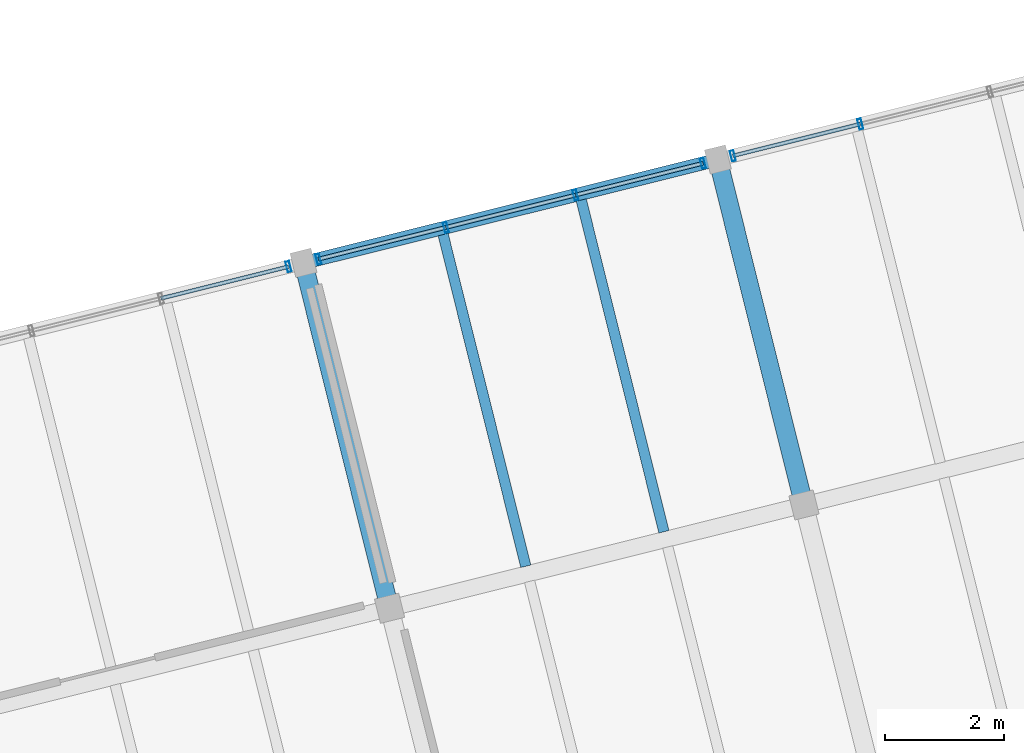
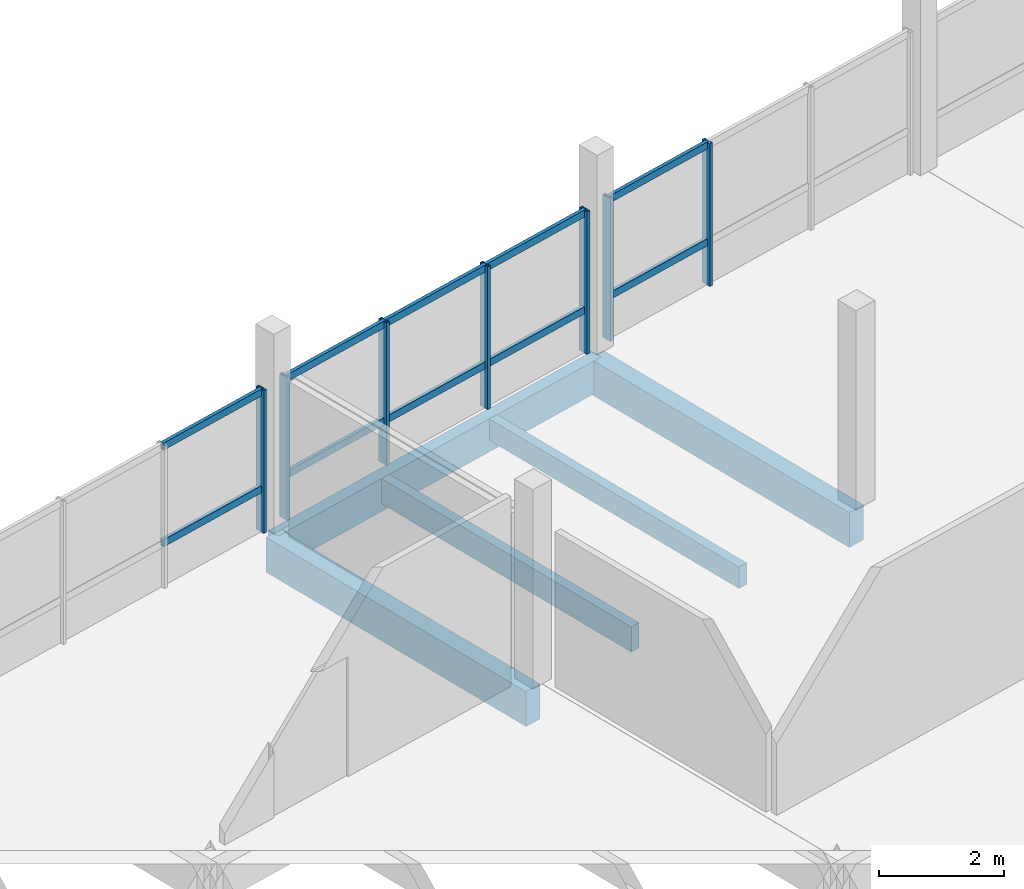
# One storey, part 17 of 27: 17 members, 5 beams, 3 elements without a shape of their own.
"""IFC4 building model written with IfcOpenShell, lengths in metres."""

from ifc_helpers import new_model, si_unit, direction, frame, origin, origin_2d, place, context, subcontext, project, spatial, rectangle, hollow_rectangle, extrude, material, layer, layer_set, material_profile, profile_set, type_object, element, aggregate, save


model = new_model("IFC4")

# Units and contexts
model_context = context("Model", 3, precision=1e-05, world=origin(), true_north=direction((0.0, 1.0)))
body_context = subcontext(model_context, "Body", "Model", "MODEL_VIEW")
ifc_project = project(units=[si_unit("LENGTHUNIT", "METRE"), si_unit("AREAUNIT", "SQUARE_METRE"), si_unit("VOLUMEUNIT", "CUBIC_METRE"), si_unit("PLANEANGLEUNIT", "RADIAN"), si_unit("MASSUNIT", "GRAM", prefix="KILO")], contexts=[model_context])

# Site, building, storey
site_placement = place(None, origin())
site = spatial("IfcSite", under=ifc_project, at=site_placement, CompositionType="ELEMENT")
building_placement = place(site_placement, origin())
building = spatial("IfcBuilding", under=site, at=building_placement, Name="Meriwether Solvik Hall", CompositionType="ELEMENT")
storey_placement = place(building_placement, frame((0.0, 0.0, 33.89990234375)))
storey = spatial("IfcBuildingStorey", under=building, at=storey_placement, Name="L08", CompositionType="ELEMENT", Elevation=33.89990234375)

# Beams
ifc_material_1 = material(Name="Glulam Douglas-Fir 24F-V8 GL28h", Category="wood")
ifc_material_profile_1 = material_profile(ifc_material_1, rectangle(XDim=0.221923828125, YDim=0.64501953125, at=origin_2d()), Name="GLB-222X645")
ifc_profile_set_1 = profile_set([ifc_material_profile_1], Name="Glulam Douglas-Fir 24F-V8 GL28h")
beam_type_1 = type_object("IfcBeamType", Name="BM-GL-222X645", PredefinedType="SPANDREL", material=ifc_profile_set_1)
beam_1_placement = place(storey_placement, frame((74.735107421875, 77.7705078125, -0.50244140625), z_axis=(0.970291911955, 0.241937193493, 0.0), x_axis=(-0.241937193493, 0.970291911955, 0.0)))
element("IfcBeam", 1, at=beam_1_placement, inside=storey, type_object=beam_type_1, Name="Tower Girder TF:T3-T4 (L08)", PredefinedType="SPANDREL", context=body_context, shape_type="SweptSolid", body=[
    extrude(rectangle(XDim=0.221923828125, YDim=0.64501953125, at=origin_2d()), origin(), (0.0, 0.0, 1.0), 7.199951171875),
])
ifc_material_2 = material(Name="Glulam Douglas-Fir 24F-V8 GL28h", Category="wood")
ifc_material_profile_2 = material_profile(ifc_material_2, rectangle(XDim=0.31494140625, YDim=0.68505859375, at=origin_2d()), Name="GLB-315X685")
ifc_profile_set_2 = profile_set([ifc_material_profile_2], Name="Glulam Douglas-Fir 24F-V8 GL28h")
beam_type_2 = type_object("IfcBeamType", Name="BM-GL-315X685", PredefinedType="BEAM", material=ifc_profile_set_2)
for number, where, z_axis, x_axis, name in (
    (2, (76.1865234375, 71.94873046875, -0.5224609375), (-0.241903677572, 0.970300268359, 0.0), (-0.970300268359, -0.241903677572, 0.0), "Tower Girder T3:TE-TF (L08)"),
    (3, (83.172607421875, 73.690673828125, -0.5224609375), (-0.241903677572, 0.970300268359, 0.0), (-0.970300268359, -0.241903677572, 0.0), "Tower Girder T4:TE-TF (L08)"),
):
    element("IfcBeam", number, at=place(storey_placement, frame(where, z_axis=z_axis, x_axis=x_axis)), inside=storey, type_object=beam_type_2, Name=name, PredefinedType="BEAM", context=body_context, shape_type="SweptSolid", body=[
        extrude(rectangle(XDim=0.31494140625, YDim=0.68505859375, at=origin_2d()), origin(), (0.0, 0.0, 1.0), 6.0),
    ])

# Curtain wall, member
ifc_material_3 = material(Name="Thermally Broken Anodised Aluminium 6063-T6 and Low-E Glass", Category="aluminium")
ifc_layer_1 = layer(ifc_material_3, 0.179931640625)
ifc_layer_set_1 = layer_set([ifc_layer_1], Name="Thermally Broken Anodised Aluminium 6063-T6 and Low-E Glass")
curtain_wall_type_1 = type_object("IfcCurtainWallType", Name="CW-UNIT-F", PredefinedType="USERDEFINED", material=ifc_layer_set_1)
curtain_wall_1_placement = place(storey_placement, origin())
curtain_wall_1 = element("IfcCurtainWall", 4, at=curtain_wall_1_placement, inside=storey, type_object=curtain_wall_type_1, Name="Curtain Wall E6_B1 (L08)", ObjectType="UNITISED CURTAIN WALL", PredefinedType="USERDEFINED")
ifc_material_4 = material(Name="Anodised Aluminium 6063-T6", Category="aluminium")
ifc_material_profile_3 = material_profile(ifc_material_4, hollow_rectangle(XDim=0.06494140625, YDim=0.179931640625, WallThickness=0.00439453125, at=origin_2d()), Name="CWM-65X180")
ifc_profile_set_3 = profile_set([ifc_material_profile_3], Name="Anodised Aluminium 6063-T6")
member_type_1 = type_object("IfcMemberType", Name="CW-MUL-65X180", PredefinedType="MULLION", material=ifc_profile_set_3)
member_1_placement = place(storey_placement, frame((74.482666015625, 77.70751953125, 0.0), z_axis=(0.0, 0.0, 1.0), x_axis=(0.970295738259, 0.241921847539, 0.0)))
member_1 = element("IfcMember", 5, at=member_1_placement, type_object=member_type_1, Name="Curtain Wall Mullion 4", PredefinedType="MULLION", context=body_context, shape_type="SweptSolid", body=[
    extrude(hollow_rectangle(XDim=0.06494140625, YDim=0.179931640625, WallThickness=0.00439453125, at=origin_2d()), origin(), (0.0, 0.0, 1.0), 2.7900390625),
])

# Curtain wall, members
ifc_material_5 = material(Name="Thermally Broken Anodised Aluminium 6063-T6 and Low-E Glass", Category="aluminium")
ifc_layer_2 = layer(ifc_material_5, 0.179931640625)
ifc_layer_set_2 = layer_set([ifc_layer_2], Name="Thermally Broken Anodised Aluminium 6063-T6 and Low-E Glass")
curtain_wall_type_2 = type_object("IfcCurtainWallType", Name="CW-UNIT-G", PredefinedType="USERDEFINED", material=ifc_layer_set_2)
curtain_wall_2_placement = place(storey_placement, origin())
curtain_wall_2 = element("IfcCurtainWall", 6, at=curtain_wall_2_placement, inside=storey, type_object=curtain_wall_type_2, Name="Curtain Wall E6_B2 (L08)", ObjectType="UNITISED CURTAIN WALL", PredefinedType="USERDEFINED")
member_2_placement = place(storey_placement, frame((74.9873046875, 77.83349609375, 0.0), z_axis=(0.0, 0.0, 1.0), x_axis=(0.970295703518, 0.241921986879, 0.0)))
member_2 = element("IfcMember", 7, at=member_2_placement, type_object=member_type_1, Name="Curtain Wall Mullion 1", PredefinedType="MULLION", context=body_context, shape_type="SweptSolid", body=[
    extrude(hollow_rectangle(XDim=0.06494140625, YDim=0.179931640625, WallThickness=0.00439453125, at=origin_2d()), origin(), (0.0, 0.0, 1.0), 2.7900390625),
])
member_3_placement = place(storey_placement, frame((77.135498046875, 78.368896484375, 0.0), z_axis=(0.0, 0.0, 1.0), x_axis=(0.970295703518, 0.241921986879, 0.0)))
member_3 = element("IfcMember", 8, at=member_3_placement, type_object=member_type_1, Name="Curtain Wall Mullion 2", PredefinedType="MULLION", context=body_context, shape_type="SweptSolid", body=[
    extrude(hollow_rectangle(XDim=0.06494140625, YDim=0.179931640625, WallThickness=0.00439453125, at=origin_2d()), origin(), (0.0, 0.0, 1.0), 2.7900390625),
])
member_4_placement = place(storey_placement, frame((79.320556640625, 78.913818359375, 0.0), z_axis=(0.0, 0.0, 1.0), x_axis=(0.970295703518, 0.241921986879, 0.0)))
member_4 = element("IfcMember", 9, at=member_4_placement, type_object=member_type_1, Name="Curtain Wall Mullion 3", PredefinedType="MULLION", context=body_context, shape_type="SweptSolid", body=[
    extrude(hollow_rectangle(XDim=0.06494140625, YDim=0.179931640625, WallThickness=0.00439453125, at=origin_2d()), origin(), (0.0, 0.0, 1.0), 2.7900390625),
])
member_5_placement = place(storey_placement, frame((81.468994140625, 79.449462890625, 0.0), z_axis=(0.0, 0.0, 1.0), x_axis=(0.970295703518, 0.241921986879, 0.0)))
member_5 = element("IfcMember", 10, at=member_5_placement, type_object=member_type_1, Name="Curtain Wall Mullion 4", PredefinedType="MULLION", context=body_context, shape_type="SweptSolid", body=[
    extrude(hollow_rectangle(XDim=0.06494140625, YDim=0.179931640625, WallThickness=0.00439453125, at=origin_2d()), origin(), (0.0, 0.0, 1.0), 2.7900390625),
])

ifc_material_6 = material(Name="Thermally Broken Anodised Aluminium 6063-T6 and Low-E Glass", Category="aluminium")
ifc_layer_3 = layer(ifc_material_6, 0.179931640625)
ifc_layer_set_3 = layer_set([ifc_layer_3], Name="Thermally Broken Anodised Aluminium 6063-T6 and Low-E Glass")
curtain_wall_type_3 = type_object("IfcCurtainWallType", Name="CW-UNIT-A", PredefinedType="USERDEFINED", material=ifc_layer_set_3)
curtain_wall_3_placement = place(storey_placement, origin())
curtain_wall_3 = element("IfcCurtainWall", 11, at=curtain_wall_3_placement, inside=storey, type_object=curtain_wall_type_3, Name="Curtain Wall E6_B3 (L08)", ObjectType="UNITISED CURTAIN WALL", PredefinedType="USERDEFINED")
member_6_placement = place(storey_placement, frame((81.973388671875, 79.5751953125, 0.0), z_axis=(0.0, 0.0, 1.0), x_axis=(0.970295738259, 0.241921847539, 0.0)))
member_6 = element("IfcMember", 12, at=member_6_placement, type_object=member_type_1, Name="Curtain Wall Mullion 1", PredefinedType="MULLION", context=body_context, shape_type="SweptSolid", body=[
    extrude(hollow_rectangle(XDim=0.06494140625, YDim=0.179931640625, WallThickness=0.00439453125, at=origin_2d()), origin(), (0.0, 0.0, 1.0), 2.7900390625),
])
member_7_placement = place(storey_placement, frame((84.12158203125, 80.11083984375, 0.0), z_axis=(0.0, 0.0, 1.0), x_axis=(0.970295738259, 0.241921847539, 0.0)))
member_7 = element("IfcMember", 13, at=member_7_placement, type_object=member_type_1, Name="Curtain Wall Mullion 2", PredefinedType="MULLION", context=body_context, shape_type="SweptSolid", body=[
    extrude(hollow_rectangle(XDim=0.06494140625, YDim=0.179931640625, WallThickness=0.00439453125, at=origin_2d()), origin(), (0.0, 0.0, 1.0), 2.7900390625),
])

# Member
ifc_material_7 = material(Name="Anodised Aluminium 6063-T6", Category="aluminium")
ifc_material_profile_4 = material_profile(ifc_material_7, hollow_rectangle(XDim=0.06494140625, YDim=0.139892578125, WallThickness=0.00439453125, at=origin_2d()), Name="CWT-65X140")
ifc_profile_set_4 = profile_set([ifc_material_profile_4], Name="Anodised Aluminium 6063-T6")
member_type_2 = type_object("IfcMemberType", Name="CW-TRN-65X140", PredefinedType="USERDEFINED", material=ifc_profile_set_4)
member_8_placement = place(storey_placement, frame((72.33447265625, 77.171875, 0.837158203125), z_axis=(0.970291509385, 0.241938808, 0.0), x_axis=(-0.241938808, 0.970291509385, 0.0)))
member_8 = element("IfcMember", 14, at=member_8_placement, type_object=member_type_2, Name="Curtain Wall Transom 3-sill", ObjectType="TRANSOM", PredefinedType="USERDEFINED", context=body_context, shape_type="SweptSolid", body=[
    extrude(hollow_rectangle(XDim=0.06494140625, YDim=0.139892578125, WallThickness=0.00439453125, at=origin_2d()), origin(), (0.0, 0.0, 1.0), 2.2138671875),
])

member_9_placement = place(storey_placement, frame((72.33447265625, 77.171875, 2.72998046875), z_axis=(0.970291509385, 0.241938808, 0.0), x_axis=(-0.241938808, 0.970291509385, 0.0)))
member_9 = element("IfcMember", 15, at=member_9_placement, type_object=member_type_2, Name="Curtain Wall Transom 3-head", ObjectType="TRANSOM", PredefinedType="USERDEFINED", context=body_context, shape_type="SweptSolid", body=[
    extrude(hollow_rectangle(XDim=0.06494140625, YDim=0.139892578125, WallThickness=0.00439453125, at=origin_2d()), origin(), (0.0, 0.0, 1.0), 2.2138671875),
])

aggregate(curtain_wall_1, [member_1, member_8, member_9])

member_10_placement = place(storey_placement, frame((74.9873046875, 77.83349609375, 0.837158203125), z_axis=(0.97031739122, 0.241834985674, 0.0), x_axis=(-0.241834985674, 0.97031739122, 0.0)))
member_10 = element("IfcMember", 16, at=member_10_placement, type_object=member_type_2, Name="Curtain Wall Transom 1-sill", ObjectType="TRANSOM", PredefinedType="USERDEFINED", context=body_context, shape_type="SweptSolid", body=[
    extrude(hollow_rectangle(XDim=0.06494140625, YDim=0.139892578125, WallThickness=0.00439453125, at=origin_2d()), origin(), (0.0, 0.0, 1.0), 2.2138671875),
])

member_11_placement = place(storey_placement, frame((74.9873046875, 77.83349609375, 2.72998046875), z_axis=(0.97031739122, 0.241834985674, 0.0), x_axis=(-0.241834985674, 0.97031739122, 0.0)))
member_11 = element("IfcMember", 17, at=member_11_placement, type_object=member_type_2, Name="Curtain Wall Transom 1-head", ObjectType="TRANSOM", PredefinedType="USERDEFINED", context=body_context, shape_type="SweptSolid", body=[
    extrude(hollow_rectangle(XDim=0.06494140625, YDim=0.139892578125, WallThickness=0.00439453125, at=origin_2d()), origin(), (0.0, 0.0, 1.0), 2.2138671875),
])

member_12_placement = place(storey_placement, frame((77.135498046875, 78.368896484375, 0.837158203125), z_axis=(0.970282635026, 0.241974395685, 0.0), x_axis=(-0.241974395685, 0.970282635026, 0.0)))
member_12 = element("IfcMember", 18, at=member_12_placement, type_object=member_type_2, Name="Curtain Wall Transom 2-sill", ObjectType="TRANSOM", PredefinedType="USERDEFINED", context=body_context, shape_type="SweptSolid", body=[
    extrude(hollow_rectangle(XDim=0.06494140625, YDim=0.139892578125, WallThickness=0.00439453125, at=origin_2d()), origin(), (0.0, 0.0, 1.0), 2.251953125),
])

member_13_placement = place(storey_placement, frame((77.135498046875, 78.368896484375, 2.72998046875), z_axis=(0.970282635026, 0.241974395685, 0.0), x_axis=(-0.241974395685, 0.970282635026, 0.0)))
member_13 = element("IfcMember", 19, at=member_13_placement, type_object=member_type_2, Name="Curtain Wall Transom 2-head", ObjectType="TRANSOM", PredefinedType="USERDEFINED", context=body_context, shape_type="SweptSolid", body=[
    extrude(hollow_rectangle(XDim=0.06494140625, YDim=0.139892578125, WallThickness=0.00439453125, at=origin_2d()), origin(), (0.0, 0.0, 1.0), 2.251953125),
])

member_14_placement = place(storey_placement, frame((79.320556640625, 78.913818359375, 0.837158203125), z_axis=(0.970297963107, 0.241912923984, 0.0), x_axis=(-0.241912923984, 0.970297963107, 0.0)))
member_14 = element("IfcMember", 20, at=member_14_placement, type_object=member_type_2, Name="Curtain Wall Transom 3-sill", ObjectType="TRANSOM", PredefinedType="USERDEFINED", context=body_context, shape_type="SweptSolid", body=[
    extrude(hollow_rectangle(XDim=0.06494140625, YDim=0.139892578125, WallThickness=0.00439453125, at=origin_2d()), origin(), (0.0, 0.0, 1.0), 2.214111328125),
])

member_15_placement = place(storey_placement, frame((79.320556640625, 78.913818359375, 2.72998046875), z_axis=(0.970297963107, 0.241912923984, 0.0), x_axis=(-0.241912923984, 0.970297963107, 0.0)))
member_15 = element("IfcMember", 21, at=member_15_placement, type_object=member_type_2, Name="Curtain Wall Transom 3-head", ObjectType="TRANSOM", PredefinedType="USERDEFINED", context=body_context, shape_type="SweptSolid", body=[
    extrude(hollow_rectangle(XDim=0.06494140625, YDim=0.139892578125, WallThickness=0.00439453125, at=origin_2d()), origin(), (0.0, 0.0, 1.0), 2.214111328125),
])

aggregate(curtain_wall_2, [member_2, member_3, member_4, member_5, member_10, member_11, member_12, member_13, member_14, member_15])

member_16_placement = place(storey_placement, frame((81.973388671875, 79.5751953125, 0.837158203125), z_axis=(0.970291509385, 0.241938808, 0.0), x_axis=(-0.241938808, 0.970291509385, 0.0)))
member_16 = element("IfcMember", 22, at=member_16_placement, type_object=member_type_2, Name="Curtain Wall Transom 1-sill", ObjectType="TRANSOM", PredefinedType="USERDEFINED", context=body_context, shape_type="SweptSolid", body=[
    extrude(hollow_rectangle(XDim=0.06494140625, YDim=0.139892578125, WallThickness=0.00439453125, at=origin_2d()), origin(), (0.0, 0.0, 1.0), 2.2138671875),
])

member_17_placement = place(storey_placement, frame((81.973388671875, 79.5751953125, 2.72998046875), z_axis=(0.970291509385, 0.241938808, 0.0), x_axis=(-0.241938808, 0.970291509385, 0.0)))
member_17 = element("IfcMember", 23, at=member_17_placement, type_object=member_type_2, Name="Curtain Wall Transom 1-head", ObjectType="TRANSOM", PredefinedType="USERDEFINED", context=body_context, shape_type="SweptSolid", body=[
    extrude(hollow_rectangle(XDim=0.06494140625, YDim=0.139892578125, WallThickness=0.00439453125, at=origin_2d()), origin(), (0.0, 0.0, 1.0), 2.2138671875),
])

aggregate(curtain_wall_3, [member_6, member_7, member_16, member_17])

# Beams
ifc_material_8 = material(Name="Glulam Douglas-Fir 24F-V8 GL28h", Category="wood")
ifc_material_profile_5 = material_profile(ifc_material_8, rectangle(XDim=0.175048828125, YDim=0.419921875, at=origin_2d()), Name="GLJ-175X420")
ifc_profile_set_5 = profile_set([ifc_material_profile_5], Name="Glulam Douglas-Fir 24F-V8 GL28h")
beam_type_3 = type_object("IfcBeamType", Name="JST-GL-175X420", PredefinedType="JOIST", material=ifc_profile_set_5)
beam_2_placement = place(storey_placement, frame((80.812255859375, 73.237548828125, -0.389892578125), z_axis=(-0.241917511092, 0.970296819446, 0.0), x_axis=(-0.970296819446, -0.241917511092, 0.0)))
element("IfcBeam", 24, at=beam_2_placement, inside=storey, type_object=beam_type_3, Name="Glulam Floor Joist T3/TE-J2 (L08)", PredefinedType="JOIST", context=body_context, shape_type="SweptSolid", body=[
    extrude(rectangle(XDim=0.175048828125, YDim=0.419921875, at=origin_2d()), origin(), (0.0, 0.0, 1.0), 5.762451171875),
])
ifc_material_9 = material(Name="Glulam Douglas-Fir 24F-V8 GL28h", Category="wood")
ifc_material_profile_6 = material_profile(ifc_material_9, rectangle(XDim=0.175048828125, YDim=0.4951171875, at=origin_2d()), Name="GLJ-175X495")
ifc_profile_set_6 = profile_set([ifc_material_profile_6], Name="Glulam Douglas-Fir 24F-V8 GL28h")
beam_type_4 = type_object("IfcBeamType", Name="JST-GL-175X495", PredefinedType="JOIST", material=ifc_profile_set_6)
beam_3_placement = place(storey_placement, frame((78.4833984375, 72.656982421875, -0.427490234375), z_axis=(-0.241917511092, 0.970296819446, 0.0), x_axis=(-0.970296819446, -0.241917511092, 0.0)))
element("IfcBeam", 25, at=beam_3_placement, inside=storey, type_object=beam_type_4, Name="Glulam Floor Joist T3/TE-J1 (L08)", PredefinedType="JOIST", context=body_context, shape_type="SweptSolid", body=[
    extrude(rectangle(XDim=0.175048828125, YDim=0.4951171875, at=origin_2d()), origin(), (0.0, 0.0, 1.0), 5.762451171875),
])

save(model, "model.ifc")
